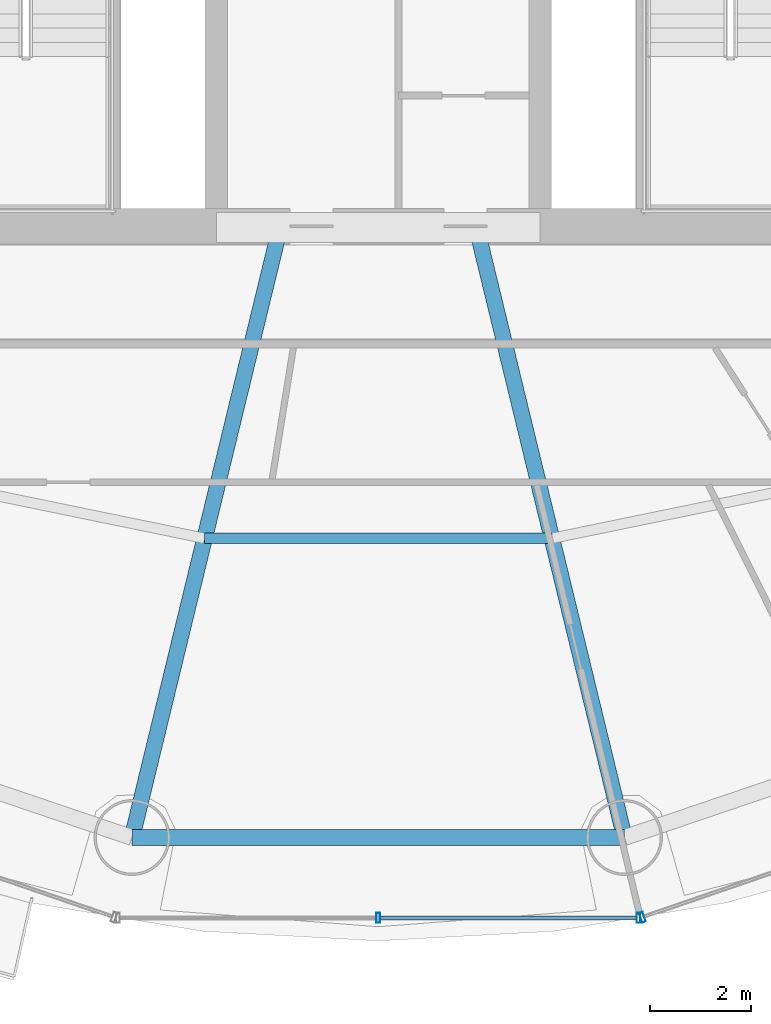
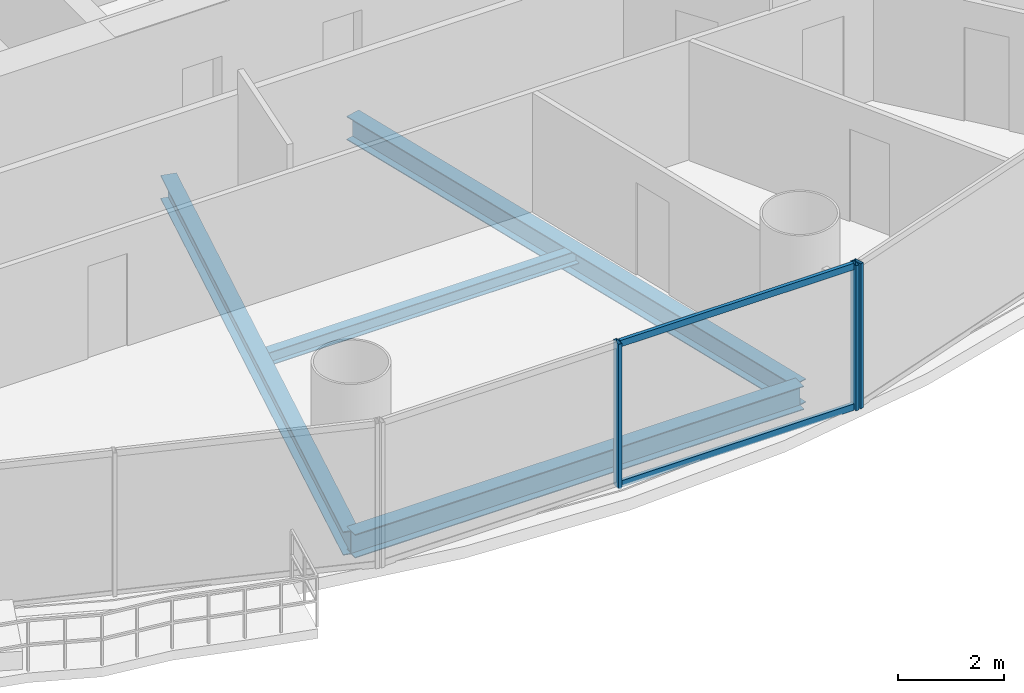
# One storey, part 5 of 29: 5 members, 4 beams, 2 elements without a shape of their own.
"""IFC4 building model written with IfcOpenShell, lengths in metres."""

from ifc_helpers import new_model, si_unit, direction, frame, origin, origin_2d, place, context, subcontext, project, spatial, hollow_rectangle, i_section, extrude, source, transform, mapped, material, material_profile, profile_set, type_object, element, aggregate, save


model = new_model("IFC4")

# Units and contexts
model_context = context("Model", 3, precision=1e-05, world=origin(), true_north=direction((-0.2419218956, 0.970295726276)))
body_context = subcontext(model_context, "Body", "Model", "MODEL_VIEW")
ifc_project = project(units=[si_unit("LENGTHUNIT", "METRE"), si_unit("AREAUNIT", "SQUARE_METRE"), si_unit("VOLUMEUNIT", "CUBIC_METRE"), si_unit("PLANEANGLEUNIT", "RADIAN"), si_unit("MASSUNIT", "GRAM", prefix="KILO")], contexts=[model_context])

# Site, building, storey
site_placement = place(None, origin())
site = spatial("IfcSite", under=ifc_project, at=site_placement, CompositionType="ELEMENT")
building_placement = place(site_placement, origin())
building = spatial("IfcBuilding", under=site, at=building_placement, Name="Cobrevalo Terracotta Tower", CompositionType="ELEMENT")
storey_placement = place(building_placement, frame((0.0, 0.0, 112.199951171875)))
storey = spatial("IfcBuildingStorey", under=building, at=storey_placement, Name="L29", CompositionType="ELEMENT", Elevation=112.199951171875)

# Beams
ifc_material_1 = material(Name="Steel S355", Category="steel")
ifc_material_profile_1 = material_profile(ifc_material_1, i_section(OverallWidth=0.31201171875, OverallDepth=0.54296875, WebThickness=0.0126953125, FlangeThickness=0.020263671875, at=origin_2d()), Name="W 530x150")
ifc_profile_set_1 = profile_set([ifc_material_profile_1], Name="Steel S355")
beam_type_1 = type_object("IfcBeamType", Name="Structural Beam W 530x150 (Steel S355)", PredefinedType="BEAM", material=ifc_profile_set_1)
for number, where, z_axis, x_axis, name in (
    (1, (33.132568359375, 6.742919921875, -0.54638671875), (0.235827379387, 0.971794961467, 0.0), (-0.971794961467, 0.235827379387, 0.0), "L29 radial floor girder 12"),
    (2, (42.867431640625, 6.742919921875, -0.54638671875), (-0.235827379387, 0.971794961467, 0.0), (-0.971794961467, -0.235827379387, 0.0), "L29 radial floor girder 13"),
):
    element("IfcBeam", number, at=place(storey_placement, frame(where, z_axis=z_axis, x_axis=x_axis)), inside=storey, type_object=beam_type_1, Name=name, PredefinedType="BEAM", context=body_context, shape_type="SweptSolid", body=[
        extrude(i_section(OverallWidth=0.31201171875, OverallDepth=0.54296875, WebThickness=0.0126953125, FlangeThickness=0.020263671875, at=origin_2d()), origin(), (0.0, 0.0, 1.0), 12.17041015625),
    ])
ifc_material_profile_2 = material_profile(ifc_material_1, i_section(OverallWidth=0.2041015625, OverallDepth=0.305908203125, WebThickness=0.008544921875, FlangeThickness=0.0146484375, at=origin_2d()), Name="W 310x67")
ifc_profile_set_2 = profile_set([ifc_material_profile_2], Name="Steel S355")
beam_type_2 = type_object("IfcBeamType", Name="Structural Joist W 310x67 (Steel S355)", PredefinedType="JOIST", material=ifc_profile_set_2)
beam_1_placement = place(storey_placement, frame((34.567626953125, 12.656494140625, -0.427978515625), z_axis=(1.0, 0.0, 0.0), x_axis=(0.0, 1.0, 0.0)))
element("IfcBeam", 3, at=beam_1_placement, inside=storey, type_object=beam_type_2, Name="L29 circumferential secondary floor joist 12", PredefinedType="JOIST", context=body_context, shape_type="SweptSolid", body=[
    extrude(i_section(OverallWidth=0.2041015625, OverallDepth=0.305908203125, WebThickness=0.008544921875, FlangeThickness=0.0146484375, at=origin_2d()), origin(), (0.0, 0.0, 1.0), 6.86474609375),
])
ifc_material_profile_3 = material_profile(ifc_material_1, i_section(OverallWidth=0.31201171875, OverallDepth=0.54296875, WebThickness=0.0126953125, FlangeThickness=0.020263671875, at=origin_2d()), Name="W 530x150")
ifc_profile_set_3 = profile_set([ifc_material_profile_3], Name="Steel S355")
beam_type_3 = type_object("IfcBeamType", Name="Structural Spandrel W 530x150 (Steel S355)", PredefinedType="SPANDREL", material=ifc_profile_set_3)
beam_2_placement = place(storey_placement, frame((33.132568359375, 6.742919921875, -0.54638671875), z_axis=(1.0, 0.0, 0.0), x_axis=(0.0, 1.0, 0.0)))
element("IfcBeam", 4, at=beam_2_placement, inside=storey, type_object=beam_type_3, Name="L29 perimeter ring spandrel 12", PredefinedType="SPANDREL", context=body_context, shape_type="SweptSolid", body=[
    extrude(i_section(OverallWidth=0.31201171875, OverallDepth=0.54296875, WebThickness=0.0126953125, FlangeThickness=0.020263671875, at=origin_2d()), origin(), (0.0, 0.0, 1.0), 9.73486328125),
])

# Curtain wall, members
ifc_material_2 = material(Name="Anodized aluminium", Category="aluminium")
curtain_wall_type = type_object("IfcCurtainWallType", Name="Lower-tower unitised acoustic low-E curtain wall CW-U1", PredefinedType="NOTDEFINED", material=ifc_material_2)
curtain_wall_1_placement = place(storey_placement, origin())
curtain_wall_1 = element("IfcCurtainWall", 5, at=curtain_wall_1_placement, inside=storey, type_object=curtain_wall_type, Name="L29 curtain wall CW-L29-S12", PredefinedType="NOTDEFINED")
ifc_material_profile_4 = material_profile(ifc_material_2, hollow_rectangle(XDim=0.074951171875, YDim=0.199951171875, WallThickness=0.0048828125, at=origin_2d()), Name="CWM 75x200")
ifc_profile_set_4 = profile_set([ifc_material_profile_4], Name="Anodized aluminium")
member_type_1 = type_object("IfcMemberType", Name="Lower/mid tower unitised mullion 75x200", PredefinedType="MULLION", material=ifc_profile_set_4)
shared_shape_1 = source(origin(), body_context, "Body", "SweptSolid", [
    extrude(hollow_rectangle(XDim=0.074951171875, YDim=0.199951171875, WallThickness=0.0048828125, at=origin_2d()), origin(), (0.0, 0.0, 1.0), 3.324951171875),
])
member_1_placement = place(storey_placement, frame((38.0, 5.154052734375, 0.0), z_axis=(0.0, 0.0, 1.0), x_axis=(1.0, 0.0, 0.0)))
member_1 = element("IfcMember", 6, at=member_1_placement, type_object=member_type_1, Name="CW-L29-S12 vertical mullion 02", PredefinedType="MULLION", context=body_context, shape_type="MappedRepresentation", body=[
    mapped(shared_shape_1, transform((0.0, 0.0, 0.0), scale=1.0)),
])
member_2_placement = place(storey_placement, frame((43.1435546875, 5.154052734375, 0.0), z_axis=(0.0, 0.0, 1.0), x_axis=(1.0, 0.0, 0.0)))
member_2 = element("IfcMember", 7, at=member_2_placement, type_object=member_type_1, Name="CW-L29-S12 vertical mullion 03", PredefinedType="MULLION", context=body_context, shape_type="MappedRepresentation", body=[
    mapped(shared_shape_1, transform((0.0, 0.0, 0.0), scale=1.0)),
])

# Curtain wall, member
curtain_wall_2_placement = place(storey_placement, origin())
curtain_wall_2 = element("IfcCurtainWall", 8, at=curtain_wall_2_placement, inside=storey, type_object=curtain_wall_type, Name="L29 curtain wall CW-L29-S13", PredefinedType="NOTDEFINED")
member_3_placement = place(storey_placement, frame((43.221435546875, 5.1669921875, 0.0), z_axis=(0.0, 0.0, 1.0), x_axis=(0.94559809868, 0.325337110968, 0.0)))
member_3 = element("IfcMember", 9, at=member_3_placement, type_object=member_type_1, Name="CW-L29-S13 vertical mullion 01", PredefinedType="MULLION", context=body_context, shape_type="MappedRepresentation", body=[
    mapped(shared_shape_1, transform((0.0, 0.0, 0.0), scale=1.0)),
])
aggregate(curtain_wall_2, [member_3])

# Member
ifc_material_profile_5 = material_profile(ifc_material_2, hollow_rectangle(XDim=0.074951171875, YDim=0.14990234375, WallThickness=0.00439453125, at=origin_2d()), Name="CWT 75x150")
ifc_profile_set_5 = profile_set([ifc_material_profile_5], Name="Anodized aluminium")
member_type_2 = type_object("IfcMemberType", Name="Tower unitised aluminium transom 75x150", PredefinedType="USERDEFINED", material=ifc_profile_set_5)
shared_shape_2 = source(origin(), body_context, "Body", "SweptSolid", [
    extrude(hollow_rectangle(XDim=0.074951171875, YDim=0.14990234375, WallThickness=0.00439453125, at=origin_2d()), origin(), (0.0, 0.0, 1.0), 5.0634765625),
])
member_4_placement = place(storey_placement, frame((38.0400390625, 5.154052734375, 0.050048828125), z_axis=(1.0, 0.0, 0.0), x_axis=(0.0, 1.0, 0.0)))
member_4 = element("IfcMember", 10, at=member_4_placement, type_object=member_type_2, Name="CW-L29-S12 transom B02-T1", ObjectType="TRANSOM", PredefinedType="USERDEFINED", context=body_context, shape_type="MappedRepresentation", body=[
    mapped(shared_shape_2, transform((0.0, 0.0, 0.0), scale=1.0)),
])

member_5_placement = place(storey_placement, frame((38.0400390625, 5.154052734375, 3.275146484375), z_axis=(1.0, 0.0, 0.0), x_axis=(0.0, 1.0, 0.0)))
member_5 = element("IfcMember", 11, at=member_5_placement, type_object=member_type_2, Name="CW-L29-S12 transom B02-T2", ObjectType="TRANSOM", PredefinedType="USERDEFINED", context=body_context, shape_type="MappedRepresentation", body=[
    mapped(shared_shape_2, transform((0.0, 0.0, 0.0), scale=1.0)),
])

aggregate(curtain_wall_1, [member_1, member_2, member_4, member_5])

save(model, "model.ifc")
